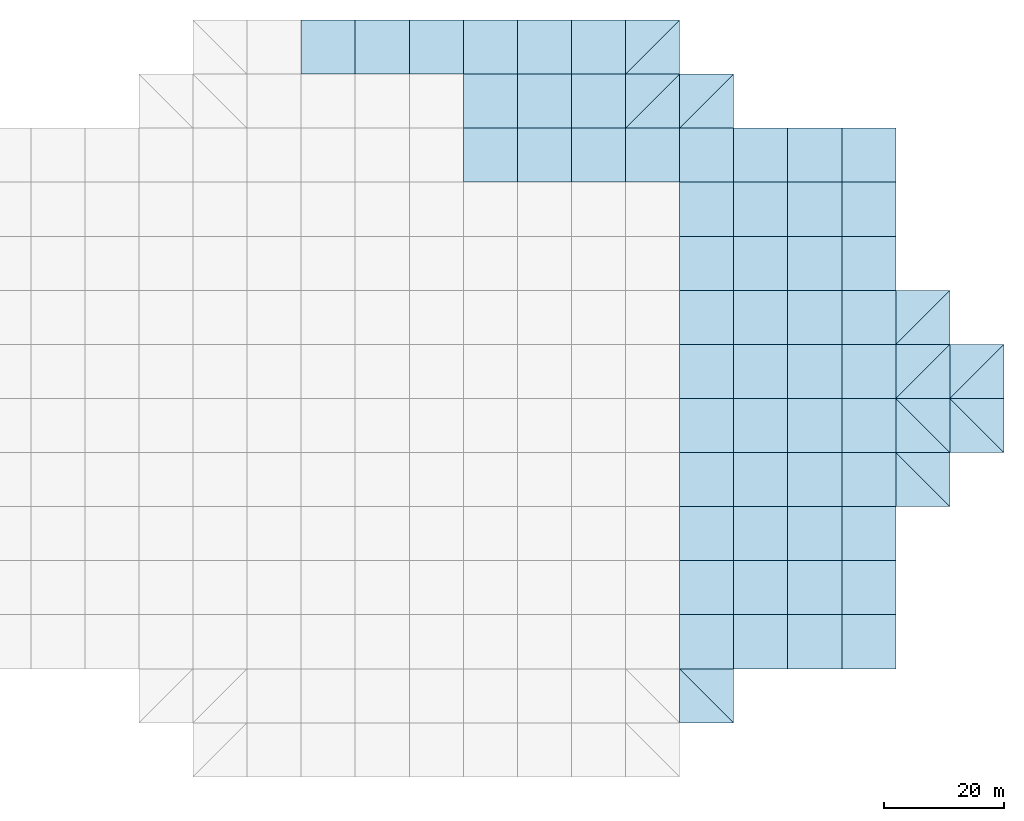
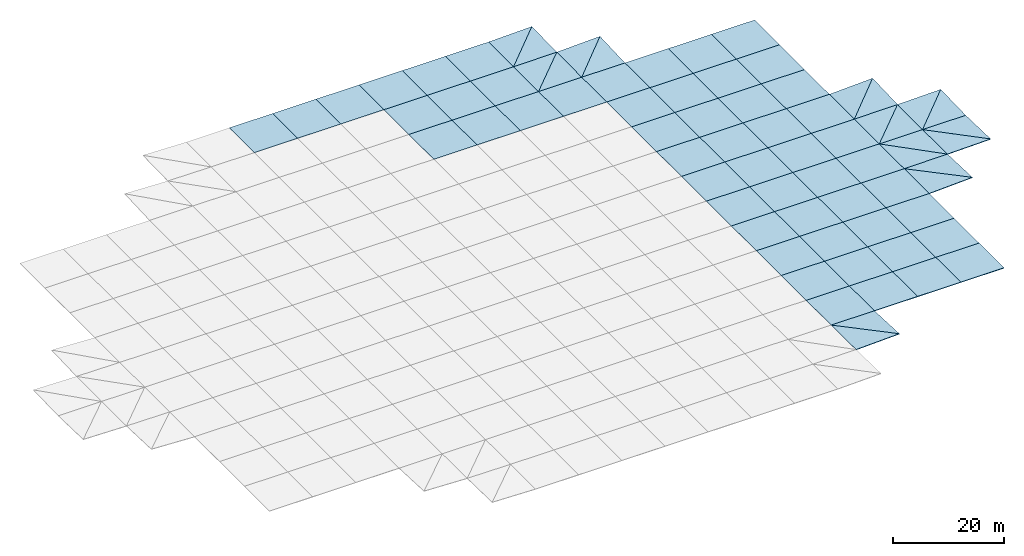
# One storey, part 3 of 3: 73 slabs.
"""IFC4 building model written with IfcOpenShell, lengths in metres."""

from ifc_helpers import new_model, si_unit, direction, frame, origin, place, context, subcontext, project, spatial, polyline, outline, extrude, material, layer, layer_set, type_object, element, save


model = new_model("IFC4")

# Units and contexts
model_context = context("Model", 3, precision=1e-05, world=origin(), true_north=direction((0.0, 1.0)))
body_context = subcontext(model_context, "Body", "Model", "MODEL_VIEW")
ifc_project = project(units=[si_unit("LENGTHUNIT", "METRE"), si_unit("AREAUNIT", "SQUARE_METRE"), si_unit("VOLUMEUNIT", "CUBIC_METRE"), si_unit("PLANEANGLEUNIT", "RADIAN"), si_unit("MASSUNIT", "GRAM", prefix="KILO")], contexts=[model_context])

# Site, building, storey
site_placement = place(None, origin())
site = spatial("IfcSite", under=ifc_project, at=site_placement, CompositionType="ELEMENT")
building_placement = place(site_placement, origin())
building = spatial("IfcBuilding", under=site, at=building_placement, Name="Opaline Strait Convention Centre", CompositionType="ELEMENT")
storey_placement = place(building_placement, frame((0.0, 0.0, 29.8798828125)))
storey = spatial("IfcBuildingStorey", under=building, at=storey_placement, Name="Roof Exhibition Block", CompositionType="ELEMENT", Elevation=29.8798828125)

# Slabs
ifc_material = material(Name="Steel Q235-B insulated roof panel", Category="steel")
ifc_layer = layer(ifc_material, 0.1201171875)
ifc_layer_set = layer_set([ifc_layer], Name="Steel Q235-B insulated roof panel")
slab_type = type_object("IfcSlabType", Name="Insulated roof panel 120 steel Q235B facings", PredefinedType="ROOF", material=ifc_layer_set)
slab_1_placement = place(storey_placement, frame((229.5, 49.5, 0.522216796875), z_axis=(0.0, 0.044606164642, 0.999004649677), x_axis=(0.0, 0.999004649677, -0.044606164642)))
element("IfcSlab", 1, at=slab_1_placement, inside=storey, type_object=slab_type, Name="EXB-RF-D-15-1a", PredefinedType="ROOF", context=body_context, shape_type="SweptSolid", body=[
    extrude(outline(polyline([(0.0, 0.0), (9.008967078292844, 0.0), (9.008967078292844, 9.0), (0.0, 0.0)])), origin(), (0.0, 0.0, -1.0), 0.1201171875),
])
slab_2_placement = place(storey_placement, frame((220.5, 49.5, 0.185791015625), z_axis=(-0.037353567758, 0.00726469968, 0.999275705256), x_axis=(0.999302075118, 0.0, 0.037354553481)))
element("IfcSlab", 2, at=slab_2_placement, inside=storey, type_object=slab_type, Name="EXB-RF-D-15-1b", PredefinedType="ROOF", context=body_context, shape_type="SweptSolid", body=[
    extrude(outline(polyline([(0.0, 0.0), (9.006285710896012, 0.0), (-0.0024440967609432995, 9.000237500777263), (0.0, 0.0)])), origin(), (0.0, 0.0, -1.0), 0.1201171875),
])
slab_3_placement = place(storey_placement, origin())
element("IfcSlab", 3, at=slab_3_placement, inside=storey, type_object=slab_type, Name="EXB-RF-D-15-2", PredefinedType="ROOF", context=body_context, shape_type="SweptSolid", body=[
    extrude(outline(polyline([(220.5, 58.5), (229.5, 58.5), (229.5, 67.5), (220.5, 67.5), (220.5, 58.5)])), origin(), (0.0, 0.0, 1.0), 0.1201171875),
])
slab_4_placement = place(storey_placement, origin())
element("IfcSlab", 4, at=slab_4_placement, inside=storey, type_object=slab_type, Name="EXB-RF-D-16-2", PredefinedType="ROOF", context=body_context, shape_type="SweptSolid", body=[
    extrude(outline(polyline([(229.5, 58.5), (238.5, 58.5), (238.5, 67.5), (229.5, 67.5), (229.5, 58.5)])), origin(), (0.0, 0.0, 1.0), 0.1201171875),
])
slab_5_placement = place(storey_placement, origin())
element("IfcSlab", 5, at=slab_5_placement, inside=storey, type_object=slab_type, Name="EXB-RF-D-17-2", PredefinedType="ROOF", context=body_context, shape_type="SweptSolid", body=[
    extrude(outline(polyline([(238.5, 58.5), (247.5, 58.5), (247.5, 67.5), (238.5, 67.5), (238.5, 58.5)])), origin(), (0.0, 0.0, 1.0), 0.1201171875),
])
slab_6_placement = place(storey_placement, origin())
element("IfcSlab", 6, at=slab_6_placement, inside=storey, type_object=slab_type, Name="EXB-RF-D-18-2", PredefinedType="ROOF", context=body_context, shape_type="SweptSolid", body=[
    extrude(outline(polyline([(247.5, 58.5), (256.5, 58.5), (256.5, 67.5), (247.5, 67.5), (247.5, 58.5)])), origin(), (0.0, 0.0, 1.0), 0.1201171875),
])
slab_7_placement = place(storey_placement, origin())
element("IfcSlab", 7, at=slab_7_placement, inside=storey, type_object=slab_type, Name="EXB-RF-D-15-3", PredefinedType="ROOF", context=body_context, shape_type="SweptSolid", body=[
    extrude(outline(polyline([(220.5, 67.5), (229.5, 67.5), (229.5, 76.5), (220.5, 76.5), (220.5, 67.5)])), origin(), (0.0, 0.0, 1.0), 0.1201171875),
])
slab_8_placement = place(storey_placement, origin())
element("IfcSlab", 8, at=slab_8_placement, inside=storey, type_object=slab_type, Name="EXB-RF-D-16-3", PredefinedType="ROOF", context=body_context, shape_type="SweptSolid", body=[
    extrude(outline(polyline([(229.5, 67.5), (238.5, 67.5), (238.5, 76.5), (229.5, 76.5), (229.5, 67.5)])), origin(), (0.0, 0.0, 1.0), 0.1201171875),
])
slab_9_placement = place(storey_placement, origin())
element("IfcSlab", 9, at=slab_9_placement, inside=storey, type_object=slab_type, Name="EXB-RF-D-17-3", PredefinedType="ROOF", context=body_context, shape_type="SweptSolid", body=[
    extrude(outline(polyline([(238.5, 67.5), (247.5, 67.5), (247.5, 76.5), (238.5, 76.5), (238.5, 67.5)])), origin(), (0.0, 0.0, 1.0), 0.1201171875),
])
slab_10_placement = place(storey_placement, origin())
element("IfcSlab", 10, at=slab_10_placement, inside=storey, type_object=slab_type, Name="EXB-RF-D-18-3", PredefinedType="ROOF", context=body_context, shape_type="SweptSolid", body=[
    extrude(outline(polyline([(247.5, 67.5), (256.5, 67.5), (256.5, 76.5), (247.5, 76.5), (247.5, 67.5)])), origin(), (0.0, 0.0, 1.0), 0.1201171875),
])
slab_11_placement = place(storey_placement, origin())
element("IfcSlab", 11, at=slab_11_placement, inside=storey, type_object=slab_type, Name="EXB-RF-D-15-4", PredefinedType="ROOF", context=body_context, shape_type="SweptSolid", body=[
    extrude(outline(polyline([(220.5, 76.5), (229.5, 76.5), (229.5, 85.5), (220.5, 85.5), (220.5, 76.5)])), origin(), (0.0, 0.0, 1.0), 0.1201171875),
])
slab_12_placement = place(storey_placement, origin())
element("IfcSlab", 12, at=slab_12_placement, inside=storey, type_object=slab_type, Name="EXB-RF-D-16-4", PredefinedType="ROOF", context=body_context, shape_type="SweptSolid", body=[
    extrude(outline(polyline([(229.5, 76.5), (238.5, 76.5), (238.5, 85.5), (229.5, 85.5), (229.5, 76.5)])), origin(), (0.0, 0.0, 1.0), 0.1201171875),
])
slab_13_placement = place(storey_placement, origin())
element("IfcSlab", 13, at=slab_13_placement, inside=storey, type_object=slab_type, Name="EXB-RF-D-17-4", PredefinedType="ROOF", context=body_context, shape_type="SweptSolid", body=[
    extrude(outline(polyline([(238.5, 76.5), (247.5, 76.5), (247.5, 85.5), (238.5, 85.5), (238.5, 76.5)])), origin(), (0.0, 0.0, 1.0), 0.1201171875),
])
slab_14_placement = place(storey_placement, origin())
element("IfcSlab", 14, at=slab_14_placement, inside=storey, type_object=slab_type, Name="EXB-RF-D-18-4", PredefinedType="ROOF", context=body_context, shape_type="SweptSolid", body=[
    extrude(outline(polyline([(247.5, 76.5), (256.5, 76.5), (256.5, 85.5), (247.5, 85.5), (247.5, 76.5)])), origin(), (0.0, 0.0, 1.0), 0.1201171875),
])
slab_15_placement = place(storey_placement, origin())
element("IfcSlab", 15, at=slab_15_placement, inside=storey, type_object=slab_type, Name="EXB-RF-D-15-5", PredefinedType="ROOF", context=body_context, shape_type="SweptSolid", body=[
    extrude(outline(polyline([(220.5, 85.5), (229.5, 85.5), (229.5, 94.5), (220.5, 94.5), (220.5, 85.5)])), origin(), (0.0, 0.0, 1.0), 0.1201171875),
])
slab_16_placement = place(storey_placement, origin())
element("IfcSlab", 16, at=slab_16_placement, inside=storey, type_object=slab_type, Name="EXB-RF-D-16-5", PredefinedType="ROOF", context=body_context, shape_type="SweptSolid", body=[
    extrude(outline(polyline([(229.5, 85.5), (238.5, 85.5), (238.5, 94.5), (229.5, 94.5), (229.5, 85.5)])), origin(), (0.0, 0.0, 1.0), 0.1201171875),
])
slab_17_placement = place(storey_placement, origin())
element("IfcSlab", 17, at=slab_17_placement, inside=storey, type_object=slab_type, Name="EXB-RF-D-17-5", PredefinedType="ROOF", context=body_context, shape_type="SweptSolid", body=[
    extrude(outline(polyline([(238.5, 85.5), (247.5, 85.5), (247.5, 94.5), (238.5, 94.5), (238.5, 85.5)])), origin(), (0.0, 0.0, 1.0), 0.1201171875),
])
slab_18_placement = place(storey_placement, origin())
element("IfcSlab", 18, at=slab_18_placement, inside=storey, type_object=slab_type, Name="EXB-RF-D-18-5", PredefinedType="ROOF", context=body_context, shape_type="SweptSolid", body=[
    extrude(outline(polyline([(247.5, 85.5), (256.5, 85.5), (256.5, 94.5), (247.5, 94.5), (247.5, 85.5)])), origin(), (0.0, 0.0, 1.0), 0.1201171875),
])
slab_19_placement = place(storey_placement, frame((265.5, 85.5, 0.522216796875), z_axis=(-0.00726469968, 0.037353567758, 0.999275705256), x_axis=(0.0, 0.999302075118, -0.037354553481)))
element("IfcSlab", 19, at=slab_19_placement, inside=storey, type_object=slab_type, Name="EXB-RF-D-19-5a", PredefinedType="ROOF", context=body_context, shape_type="SweptSolid", body=[
    extrude(outline(polyline([(0.0, 0.0), (9.006285710896012, 0.0), (9.008729807656957, 9.000237500777263), (0.0, 0.0)])), origin(), (0.0, 0.0, -1.0), 0.1201171875),
])
slab_20_placement = place(storey_placement, frame((256.5, 85.5, 0.12060546875), z_axis=(-0.044606164642, 0.0, 0.999004649677), x_axis=(0.999004649677, 0.0, 0.044606164642)))
element("IfcSlab", 20, at=slab_20_placement, inside=storey, type_object=slab_type, Name="EXB-RF-D-19-5b", PredefinedType="ROOF", context=body_context, shape_type="SweptSolid", body=[
    extrude(outline(polyline([(0.0, 0.0), (9.008967078292844, 0.0), (0.0, 9.0), (0.0, 0.0)])), origin(), (0.0, 0.0, -1.0), 0.1201171875),
])
slab_21_placement = place(storey_placement, origin())
element("IfcSlab", 21, at=slab_21_placement, inside=storey, type_object=slab_type, Name="EXB-RF-D-15-6", PredefinedType="ROOF", context=body_context, shape_type="SweptSolid", body=[
    extrude(outline(polyline([(220.5, 94.5), (229.5, 94.5), (229.5, 103.5), (220.5, 103.5), (220.5, 94.5)])), origin(), (0.0, 0.0, 1.0), 0.1201171875),
])
slab_22_placement = place(storey_placement, origin())
element("IfcSlab", 22, at=slab_22_placement, inside=storey, type_object=slab_type, Name="EXB-RF-D-16-6", PredefinedType="ROOF", context=body_context, shape_type="SweptSolid", body=[
    extrude(outline(polyline([(229.5, 94.5), (238.5, 94.5), (238.5, 103.5), (229.5, 103.5), (229.5, 94.5)])), origin(), (0.0, 0.0, 1.0), 0.1201171875),
])
slab_23_placement = place(storey_placement, origin())
element("IfcSlab", 23, at=slab_23_placement, inside=storey, type_object=slab_type, Name="EXB-RF-D-17-6", PredefinedType="ROOF", context=body_context, shape_type="SweptSolid", body=[
    extrude(outline(polyline([(238.5, 94.5), (247.5, 94.5), (247.5, 103.5), (238.5, 103.5), (238.5, 94.5)])), origin(), (0.0, 0.0, 1.0), 0.1201171875),
])
slab_24_placement = place(storey_placement, origin())
element("IfcSlab", 24, at=slab_24_placement, inside=storey, type_object=slab_type, Name="EXB-RF-D-18-6", PredefinedType="ROOF", context=body_context, shape_type="SweptSolid", body=[
    extrude(outline(polyline([(247.5, 94.5), (256.5, 94.5), (256.5, 103.5), (247.5, 103.5), (247.5, 94.5)])), origin(), (0.0, 0.0, 1.0), 0.1201171875),
])
slab_25_placement = place(storey_placement, frame((265.5, 94.5, 0.185546875), z_axis=(0.0, 0.007269773168, 0.99997357485), x_axis=(0.0, 0.99997357485, -0.007269773168)))
element("IfcSlab", 25, at=slab_25_placement, inside=storey, type_object=slab_type, Name="EXB-RF-D-19-6a", PredefinedType="ROOF", context=body_context, shape_type="SweptSolid", body=[
    extrude(outline(polyline([(0.0, 0.0), (9.000237832635666, 0.0), (9.000237832635666, 9.0), (0.0, 0.0)])), origin(), (0.0, 0.0, -1.0), 0.1201171875),
])
slab_26_placement = place(storey_placement, frame((256.5, 94.5, 0.1201171875), z_axis=(-0.007269773168, 0.0, 0.99997357485), x_axis=(0.99997357485, 0.0, 0.007269773168)))
element("IfcSlab", 26, at=slab_26_placement, inside=storey, type_object=slab_type, Name="EXB-RF-D-19-6b", PredefinedType="ROOF", context=body_context, shape_type="SweptSolid", body=[
    extrude(outline(polyline([(0.0, 0.0), (9.000237832635666, 0.0), (0.0, 9.0), (0.0, 0.0)])), origin(), (0.0, 0.0, -1.0), 0.1201171875),
])
slab_27_placement = place(storey_placement, frame((274.5, 94.5, 0.373046875), z_axis=(0.0, 0.028092207253, 0.999605336066), x_axis=(0.0, 0.999605336066, -0.028092207253)))
element("IfcSlab", 27, at=slab_27_placement, inside=storey, type_object=slab_type, Name="EXB-RF-D-20-6a", PredefinedType="ROOF", context=body_context, shape_type="SweptSolid", body=[
    extrude(outline(polyline([(0.0, 0.0), (9.00355337779584, 0.0), (9.00355337779584, 9.000000000000002), (0.0, 0.0)])), origin(), (0.0, 0.0, -1.0), 0.1201171875),
])
slab_28_placement = place(storey_placement, frame((265.5, 94.5, 0.185791015625), z_axis=(-0.020774042583, 0.007295323048, 0.999757579324), x_axis=(0.999784184804, 0.0, 0.02077459542)))
element("IfcSlab", 28, at=slab_28_placement, inside=storey, type_object=slab_type, Name="EXB-RF-D-20-6b", PredefinedType="ROOF", context=body_context, shape_type="SweptSolid", body=[
    extrude(outline(polyline([(0.0, 0.0), (9.001942756036044, 2.168404344971009e-19), (-0.0013643472089747604, 9.000239507382972), (0.0, 0.0)])), origin(), (0.0, 0.0, -1.0), 0.1201171875),
])
slab_29_placement = place(storey_placement, origin())
element("IfcSlab", 29, at=slab_29_placement, inside=storey, type_object=slab_type, Name="EXB-RF-D-15-7", PredefinedType="ROOF", context=body_context, shape_type="SweptSolid", body=[
    extrude(outline(polyline([(220.5, 103.5), (229.5, 103.5), (229.5, 112.5), (220.5, 112.5), (220.5, 103.5)])), origin(), (0.0, 0.0, 1.0), 0.1201171875),
])
slab_30_placement = place(storey_placement, origin())
element("IfcSlab", 30, at=slab_30_placement, inside=storey, type_object=slab_type, Name="EXB-RF-D-16-7", PredefinedType="ROOF", context=body_context, shape_type="SweptSolid", body=[
    extrude(outline(polyline([(229.5, 103.5), (238.5, 103.5), (238.5, 112.5), (229.5, 112.5), (229.5, 103.5)])), origin(), (0.0, 0.0, 1.0), 0.1201171875),
])
slab_31_placement = place(storey_placement, origin())
element("IfcSlab", 31, at=slab_31_placement, inside=storey, type_object=slab_type, Name="EXB-RF-D-17-7", PredefinedType="ROOF", context=body_context, shape_type="SweptSolid", body=[
    extrude(outline(polyline([(238.5, 103.5), (247.5, 103.5), (247.5, 112.5), (238.5, 112.5), (238.5, 103.5)])), origin(), (0.0, 0.0, 1.0), 0.1201171875),
])
slab_32_placement = place(storey_placement, origin())
element("IfcSlab", 32, at=slab_32_placement, inside=storey, type_object=slab_type, Name="EXB-RF-D-18-7", PredefinedType="ROOF", context=body_context, shape_type="SweptSolid", body=[
    extrude(outline(polyline([(247.5, 103.5), (256.5, 103.5), (256.5, 112.5), (247.5, 112.5), (247.5, 103.5)])), origin(), (0.0, 0.0, 1.0), 0.1201171875),
])
slab_33_placement = place(storey_placement, frame((256.5, 103.5, 0.1201171875), z_axis=(0.0, -0.007269773168, 0.99997357485), x_axis=(1.0, 0.0, 0.0)))
element("IfcSlab", 33, at=slab_33_placement, inside=storey, type_object=slab_type, Name="EXB-RF-D-19-7a", PredefinedType="ROOF", context=body_context, shape_type="SweptSolid", body=[
    extrude(outline(polyline([(0.0, 0.0), (9.0, 0.0), (9.0, 9.000237832635666), (0.0, 0.0)])), origin(), (0.0, 0.0, -1.0), 0.1201171875),
])
slab_34_placement = place(storey_placement, frame((256.5, 103.5, 0.1201171875), z_axis=(-0.007269773168, 0.0, 0.99997357485), x_axis=(0.7070974383, 0.7070974383, 0.005140573824)))
element("IfcSlab", 34, at=slab_34_placement, inside=storey, type_object=slab_type, Name="EXB-RF-D-19-7b", PredefinedType="ROOF", context=body_context, shape_type="SweptSolid", body=[
    extrude(outline(polyline([(0.0, 0.0), (12.728090235538339, 9.204876444401933e-17), (6.363876944699717, 6.364045115547142), (0.0, 0.0)])), origin(), (0.0, 0.0, -1.0), 0.1201171875),
])
slab_35_placement = place(storey_placement, frame((265.5, 103.5, 0.1201171875), z_axis=(0.0, -0.028092207253, 0.999605336066), x_axis=(1.0, 0.0, 0.0)))
element("IfcSlab", 35, at=slab_35_placement, inside=storey, type_object=slab_type, Name="EXB-RF-D-20-7a", PredefinedType="ROOF", context=body_context, shape_type="SweptSolid", body=[
    extrude(outline(polyline([(0.0, 0.0), (9.0, 0.0), (9.0, 9.00355337779584), (0.0, 0.0)])), origin(), (0.0, 0.0, -1.0), 0.1201171875),
])
slab_36_placement = place(storey_placement, frame((265.5, 103.5, 0.1201171875), z_axis=(-0.020774042583, -0.007295323048, 0.999757579324), x_axis=(0.706967474347, 0.706967474347, 0.01984894032)))
element("IfcSlab", 36, at=slab_36_placement, inside=storey, type_object=slab_type, Name="EXB-RF-D-20-7b", PredefinedType="ROOF", context=body_context, shape_type="SweptSolid", body=[
    extrude(outline(polyline([(0.0, 0.0), (12.730430078579417, -6.774095173689432e-16), (6.364010825014936, 6.3642500949281775), (0.0, 0.0)])), origin(), (0.0, 0.0, -1.0), 0.1201171875),
])
slab_37_placement = place(storey_placement, origin())
element("IfcSlab", 37, at=slab_37_placement, inside=storey, type_object=slab_type, Name="EXB-RF-D-15-8", PredefinedType="ROOF", context=body_context, shape_type="SweptSolid", body=[
    extrude(outline(polyline([(220.5, 112.5), (229.5, 112.5), (229.5, 121.5), (220.5, 121.5), (220.5, 112.5)])), origin(), (0.0, 0.0, 1.0), 0.1201171875),
])
slab_38_placement = place(storey_placement, origin())
element("IfcSlab", 38, at=slab_38_placement, inside=storey, type_object=slab_type, Name="EXB-RF-D-16-8", PredefinedType="ROOF", context=body_context, shape_type="SweptSolid", body=[
    extrude(outline(polyline([(229.5, 112.5), (238.5, 112.5), (238.5, 121.5), (229.5, 121.5), (229.5, 112.5)])), origin(), (0.0, 0.0, 1.0), 0.1201171875),
])
slab_39_placement = place(storey_placement, origin())
element("IfcSlab", 39, at=slab_39_placement, inside=storey, type_object=slab_type, Name="EXB-RF-D-17-8", PredefinedType="ROOF", context=body_context, shape_type="SweptSolid", body=[
    extrude(outline(polyline([(238.5, 112.5), (247.5, 112.5), (247.5, 121.5), (238.5, 121.5), (238.5, 112.5)])), origin(), (0.0, 0.0, 1.0), 0.1201171875),
])
slab_40_placement = place(storey_placement, origin())
element("IfcSlab", 40, at=slab_40_placement, inside=storey, type_object=slab_type, Name="EXB-RF-D-18-8", PredefinedType="ROOF", context=body_context, shape_type="SweptSolid", body=[
    extrude(outline(polyline([(247.5, 112.5), (256.5, 112.5), (256.5, 121.5), (247.5, 121.5), (247.5, 112.5)])), origin(), (0.0, 0.0, 1.0), 0.1201171875),
])
slab_41_placement = place(storey_placement, frame((256.5, 112.5, 0.120361328125), z_axis=(-0.00726469968, -0.037353567758, 0.999275705256), x_axis=(0.99997357485, 0.0, 0.007269773168)))
element("IfcSlab", 41, at=slab_41_placement, inside=storey, type_object=slab_type, Name="EXB-RF-D-19-8a", PredefinedType="ROOF", context=body_context, shape_type="SweptSolid", body=[
    extrude(outline(polyline([(0.0, 0.0), (9.000237832635666, 0.0), (9.002683571753172, 9.00628537881461), (0.0, 0.0)])), origin(), (0.0, 0.0, -1.0), 0.1201171875),
])
slab_42_placement = place(storey_placement, frame((256.5, 112.5, 0.12060546875), z_axis=(-0.044606164642, 0.0, 0.999004649677), x_axis=(0.706754608869, 0.706754608869, 0.031557022738)))
element("IfcSlab", 42, at=slab_42_placement, inside=storey, type_object=slab_type, Name="EXB-RF-D-19-8b", PredefinedType="ROOF", context=body_context, shape_type="SweptSolid", body=[
    extrude(outline(polyline([(0.0, 0.0), (12.734264321811619, -1.2836953722228372e-16), (6.360791479823523, 6.367129003735081), (0.0, 0.0)])), origin(), (0.0, 0.0, -1.0), 0.1201171875),
])
slab_43_placement = place(storey_placement, origin())
element("IfcSlab", 43, at=slab_43_placement, inside=storey, type_object=slab_type, Name="EXB-RF-D-15-9", PredefinedType="ROOF", context=body_context, shape_type="SweptSolid", body=[
    extrude(outline(polyline([(220.5, 121.5), (229.5, 121.5), (229.5, 130.5), (220.5, 130.5), (220.5, 121.5)])), origin(), (0.0, 0.0, 1.0), 0.1201171875),
])
slab_44_placement = place(storey_placement, origin())
element("IfcSlab", 44, at=slab_44_placement, inside=storey, type_object=slab_type, Name="EXB-RF-D-16-9", PredefinedType="ROOF", context=body_context, shape_type="SweptSolid", body=[
    extrude(outline(polyline([(229.5, 121.5), (238.5, 121.5), (238.5, 130.5), (229.5, 130.5), (229.5, 121.5)])), origin(), (0.0, 0.0, 1.0), 0.1201171875),
])
slab_45_placement = place(storey_placement, origin())
element("IfcSlab", 45, at=slab_45_placement, inside=storey, type_object=slab_type, Name="EXB-RF-D-17-9", PredefinedType="ROOF", context=body_context, shape_type="SweptSolid", body=[
    extrude(outline(polyline([(238.5, 121.5), (247.5, 121.5), (247.5, 130.5), (238.5, 130.5), (238.5, 121.5)])), origin(), (0.0, 0.0, 1.0), 0.1201171875),
])
slab_46_placement = place(storey_placement, origin())
element("IfcSlab", 46, at=slab_46_placement, inside=storey, type_object=slab_type, Name="EXB-RF-D-18-9", PredefinedType="ROOF", context=body_context, shape_type="SweptSolid", body=[
    extrude(outline(polyline([(247.5, 121.5), (256.5, 121.5), (256.5, 130.5), (247.5, 130.5), (247.5, 121.5)])), origin(), (0.0, 0.0, 1.0), 0.1201171875),
])
slab_47_placement = place(storey_placement, origin())
element("IfcSlab", 47, at=slab_47_placement, inside=storey, type_object=slab_type, Name="EXB-RF-D-15-10", PredefinedType="ROOF", context=body_context, shape_type="SweptSolid", body=[
    extrude(outline(polyline([(220.5, 130.5), (229.5, 130.5), (229.5, 139.5), (220.5, 139.5), (220.5, 130.5)])), origin(), (0.0, 0.0, 1.0), 0.1201171875),
])
slab_48_placement = place(storey_placement, origin())
element("IfcSlab", 48, at=slab_48_placement, inside=storey, type_object=slab_type, Name="EXB-RF-D-16-10", PredefinedType="ROOF", context=body_context, shape_type="SweptSolid", body=[
    extrude(outline(polyline([(229.5, 130.5), (238.5, 130.5), (238.5, 139.5), (229.5, 139.5), (229.5, 130.5)])), origin(), (0.0, 0.0, 1.0), 0.1201171875),
])
slab_49_placement = place(storey_placement, origin())
element("IfcSlab", 49, at=slab_49_placement, inside=storey, type_object=slab_type, Name="EXB-RF-D-17-10", PredefinedType="ROOF", context=body_context, shape_type="SweptSolid", body=[
    extrude(outline(polyline([(238.5, 130.5), (247.5, 130.5), (247.5, 139.5), (238.5, 139.5), (238.5, 130.5)])), origin(), (0.0, 0.0, 1.0), 0.1201171875),
])
slab_50_placement = place(storey_placement, origin())
element("IfcSlab", 50, at=slab_50_placement, inside=storey, type_object=slab_type, Name="EXB-RF-D-18-10", PredefinedType="ROOF", context=body_context, shape_type="SweptSolid", body=[
    extrude(outline(polyline([(247.5, 130.5), (256.5, 130.5), (256.5, 139.5), (247.5, 139.5), (247.5, 130.5)])), origin(), (0.0, 0.0, 1.0), 0.1201171875),
])
slab_51_placement = place(storey_placement, origin())
element("IfcSlab", 51, at=slab_51_placement, inside=storey, type_object=slab_type, Name="EXB-RF-D-11-11", PredefinedType="ROOF", context=body_context, shape_type="SweptSolid", body=[
    extrude(outline(polyline([(184.5, 139.5), (193.5, 139.5), (193.5, 148.5), (184.5, 148.5), (184.5, 139.5)])), origin(), (0.0, 0.0, 1.0), 0.1201171875),
])
slab_52_placement = place(storey_placement, origin())
element("IfcSlab", 52, at=slab_52_placement, inside=storey, type_object=slab_type, Name="EXB-RF-D-12-11", PredefinedType="ROOF", context=body_context, shape_type="SweptSolid", body=[
    extrude(outline(polyline([(193.5, 139.5), (202.5, 139.5), (202.5, 148.5), (193.5, 148.5), (193.5, 139.5)])), origin(), (0.0, 0.0, 1.0), 0.1201171875),
])
slab_53_placement = place(storey_placement, origin())
element("IfcSlab", 53, at=slab_53_placement, inside=storey, type_object=slab_type, Name="EXB-RF-D-13-11", PredefinedType="ROOF", context=body_context, shape_type="SweptSolid", body=[
    extrude(outline(polyline([(202.5, 139.5), (211.5, 139.5), (211.5, 148.5), (202.5, 148.5), (202.5, 139.5)])), origin(), (0.0, 0.0, 1.0), 0.1201171875),
])
slab_54_placement = place(storey_placement, origin())
element("IfcSlab", 54, at=slab_54_placement, inside=storey, type_object=slab_type, Name="EXB-RF-D-14-11", PredefinedType="ROOF", context=body_context, shape_type="SweptSolid", body=[
    extrude(outline(polyline([(211.5, 139.5), (220.5, 139.5), (220.5, 148.5), (211.5, 148.5), (211.5, 139.5)])), origin(), (0.0, 0.0, 1.0), 0.1201171875),
])
slab_55_placement = place(storey_placement, origin())
element("IfcSlab", 55, at=slab_55_placement, inside=storey, type_object=slab_type, Name="EXB-RF-D-15-11", PredefinedType="ROOF", context=body_context, shape_type="SweptSolid", body=[
    extrude(outline(polyline([(220.5, 139.5), (229.5, 139.5), (229.5, 148.5), (220.5, 148.5), (220.5, 139.5)])), origin(), (0.0, 0.0, 1.0), 0.1201171875),
])
slab_56_placement = place(storey_placement, origin())
element("IfcSlab", 56, at=slab_56_placement, inside=storey, type_object=slab_type, Name="EXB-RF-D-16-11", PredefinedType="ROOF", context=body_context, shape_type="SweptSolid", body=[
    extrude(outline(polyline([(229.5, 139.5), (238.5, 139.5), (238.5, 148.5), (229.5, 148.5), (229.5, 139.5)])), origin(), (0.0, 0.0, 1.0), 0.1201171875),
])
slab_57_placement = place(storey_placement, origin())
element("IfcSlab", 57, at=slab_57_placement, inside=storey, type_object=slab_type, Name="EXB-RF-D-17-11", PredefinedType="ROOF", context=body_context, shape_type="SweptSolid", body=[
    extrude(outline(polyline([(238.5, 139.5), (247.5, 139.5), (247.5, 148.5), (238.5, 148.5), (238.5, 139.5)])), origin(), (0.0, 0.0, 1.0), 0.1201171875),
])
slab_58_placement = place(storey_placement, origin())
element("IfcSlab", 58, at=slab_58_placement, inside=storey, type_object=slab_type, Name="EXB-RF-D-18-11", PredefinedType="ROOF", context=body_context, shape_type="SweptSolid", body=[
    extrude(outline(polyline([(247.5, 139.5), (256.5, 139.5), (256.5, 148.5), (247.5, 148.5), (247.5, 139.5)])), origin(), (0.0, 0.0, 1.0), 0.1201171875),
])
slab_59_placement = place(storey_placement, origin())
element("IfcSlab", 59, at=slab_59_placement, inside=storey, type_object=slab_type, Name="EXB-RF-D-11-12", PredefinedType="ROOF", context=body_context, shape_type="SweptSolid", body=[
    extrude(outline(polyline([(184.5, 148.5), (193.5, 148.5), (193.5, 157.5), (184.5, 157.5), (184.5, 148.5)])), origin(), (0.0, 0.0, 1.0), 0.1201171875),
])
slab_60_placement = place(storey_placement, origin())
element("IfcSlab", 60, at=slab_60_placement, inside=storey, type_object=slab_type, Name="EXB-RF-D-12-12", PredefinedType="ROOF", context=body_context, shape_type="SweptSolid", body=[
    extrude(outline(polyline([(193.5, 148.5), (202.5, 148.5), (202.5, 157.5), (193.5, 157.5), (193.5, 148.5)])), origin(), (0.0, 0.0, 1.0), 0.1201171875),
])
slab_61_placement = place(storey_placement, origin())
element("IfcSlab", 61, at=slab_61_placement, inside=storey, type_object=slab_type, Name="EXB-RF-D-13-12", PredefinedType="ROOF", context=body_context, shape_type="SweptSolid", body=[
    extrude(outline(polyline([(202.5, 148.5), (211.5, 148.5), (211.5, 157.5), (202.5, 157.5), (202.5, 148.5)])), origin(), (0.0, 0.0, 1.0), 0.1201171875),
])
slab_62_placement = place(storey_placement, frame((211.5, 148.5, 0.1201171875), z_axis=(0.0, -0.007269773168, 0.99997357485), x_axis=(1.0, 0.0, 0.0)))
element("IfcSlab", 62, at=slab_62_placement, inside=storey, type_object=slab_type, Name="EXB-RF-D-14-12a", PredefinedType="ROOF", context=body_context, shape_type="SweptSolid", body=[
    extrude(outline(polyline([(0.0, 0.0), (9.0, 0.0), (9.0, 9.000237832635666), (0.0, 0.0)])), origin(), (0.0, 0.0, -1.0), 0.1201171875),
])
slab_63_placement = place(storey_placement, frame((211.5, 148.5, 0.1201171875), z_axis=(-0.007269773168, 0.0, 0.99997357485), x_axis=(0.7070974383, 0.7070974383, 0.005140573824)))
element("IfcSlab", 63, at=slab_63_placement, inside=storey, type_object=slab_type, Name="EXB-RF-D-14-12b", PredefinedType="ROOF", context=body_context, shape_type="SweptSolid", body=[
    extrude(outline(polyline([(0.0, 0.0), (12.728090235538339, 9.204876444401933e-17), (6.363876944699717, 6.364045115547142), (0.0, 0.0)])), origin(), (0.0, 0.0, -1.0), 0.1201171875),
])
slab_64_placement = place(storey_placement, frame((220.5, 148.5, 0.120361328125), z_axis=(0.0, -0.044606164642, 0.999004649677), x_axis=(1.0, 0.0, 0.0)))
element("IfcSlab", 64, at=slab_64_placement, inside=storey, type_object=slab_type, Name="EXB-RF-D-15-12a", PredefinedType="ROOF", context=body_context, shape_type="SweptSolid", body=[
    extrude(outline(polyline([(0.0, 0.0), (9.0, 0.0), (9.0, 9.008967078292844), (0.0, 0.0)])), origin(), (0.0, 0.0, -1.0), 0.1201171875),
])
slab_65_placement = place(storey_placement, frame((220.5, 148.5, 0.120361328125), z_axis=(-0.037353567758, -0.00726469968, 0.999275705256), x_axis=(0.706754608869, 0.706754608869, 0.031557022738)))
element("IfcSlab", 65, at=slab_65_placement, inside=storey, type_object=slab_type, Name="EXB-RF-D-15-12b", PredefinedType="ROOF", context=body_context, shape_type="SweptSolid", body=[
    extrude(outline(polyline([(0.0, 0.0), (12.734264321811619, -1.8041124150158794e-16), (6.362856245959675, 6.365401906970078), (0.0, 0.0)])), origin(), (0.0, 0.0, -1.0), 0.1201171875),
])
slab_66_placement = place(storey_placement, origin())
element("IfcSlab", 66, at=slab_66_placement, inside=storey, type_object=slab_type, Name="EXB-RF-D-8-13", PredefinedType="ROOF", context=body_context, shape_type="SweptSolid", body=[
    extrude(outline(polyline([(157.5, 157.5), (166.5, 157.5), (166.5, 166.5), (157.5, 166.5), (157.5, 157.5)])), origin(), (0.0, 0.0, 1.0), 0.1201171875),
])
slab_67_placement = place(storey_placement, origin())
element("IfcSlab", 67, at=slab_67_placement, inside=storey, type_object=slab_type, Name="EXB-RF-D-9-13", PredefinedType="ROOF", context=body_context, shape_type="SweptSolid", body=[
    extrude(outline(polyline([(166.5, 157.5), (175.5, 157.5), (175.5, 166.5), (166.5, 166.5), (166.5, 157.5)])), origin(), (0.0, 0.0, 1.0), 0.1201171875),
])
slab_68_placement = place(storey_placement, origin())
element("IfcSlab", 68, at=slab_68_placement, inside=storey, type_object=slab_type, Name="EXB-RF-D-10-13", PredefinedType="ROOF", context=body_context, shape_type="SweptSolid", body=[
    extrude(outline(polyline([(175.5, 157.5), (184.5, 157.5), (184.5, 166.5), (175.5, 166.5), (175.5, 157.5)])), origin(), (0.0, 0.0, 1.0), 0.1201171875),
])
slab_69_placement = place(storey_placement, origin())
element("IfcSlab", 69, at=slab_69_placement, inside=storey, type_object=slab_type, Name="EXB-RF-D-11-13", PredefinedType="ROOF", context=body_context, shape_type="SweptSolid", body=[
    extrude(outline(polyline([(184.5, 157.5), (193.5, 157.5), (193.5, 166.5), (184.5, 166.5), (184.5, 157.5)])), origin(), (0.0, 0.0, 1.0), 0.1201171875),
])
slab_70_placement = place(storey_placement, origin())
element("IfcSlab", 70, at=slab_70_placement, inside=storey, type_object=slab_type, Name="EXB-RF-D-12-13", PredefinedType="ROOF", context=body_context, shape_type="SweptSolid", body=[
    extrude(outline(polyline([(193.5, 157.5), (202.5, 157.5), (202.5, 166.5), (193.5, 166.5), (193.5, 157.5)])), origin(), (0.0, 0.0, 1.0), 0.1201171875),
])
slab_71_placement = place(storey_placement, origin())
element("IfcSlab", 71, at=slab_71_placement, inside=storey, type_object=slab_type, Name="EXB-RF-D-13-13", PredefinedType="ROOF", context=body_context, shape_type="SweptSolid", body=[
    extrude(outline(polyline([(202.5, 157.5), (211.5, 157.5), (211.5, 166.5), (202.5, 166.5), (202.5, 157.5)])), origin(), (0.0, 0.0, 1.0), 0.1201171875),
])
slab_72_placement = place(storey_placement, frame((211.5, 157.5, 0.1201171875), z_axis=(-0.007268200226, -0.020801155124, 0.999757213133), x_axis=(0.99997357485, 0.0, 0.007269773168)))
element("IfcSlab", 72, at=slab_72_placement, inside=storey, type_object=slab_type, Name="EXB-RF-D-14-13a", PredefinedType="ROOF", context=body_context, shape_type="SweptSolid", body=[
    extrude(outline(polyline([(0.0, 0.0), (9.000237832635666, 0.0), (9.001599140257674, 9.00194772833701), (0.0, 0.0)])), origin(), (0.0, 0.0, -1.0), 0.1201171875),
])
slab_73_placement = place(storey_placement, frame((211.5, 157.5, 0.120361328125), z_axis=(-0.028065112591, 0.0, 0.999606097148), x_axis=(0.706967474347, 0.706967474347, 0.01984894032)))
element("IfcSlab", 73, at=slab_73_placement, inside=storey, type_object=slab_type, Name="EXB-RF-D-14-13b", PredefinedType="ROOF", context=body_context, shape_type="SweptSolid", body=[
    extrude(outline(polyline([(0.0, 0.0), (12.730430078579417, -6.331740687315346e-17), (6.362707269119911, 6.365214545283502), (0.0, 0.0)])), origin(), (0.0, 0.0, -1.0), 0.1201171875),
])

save(model, "model.ifc")
